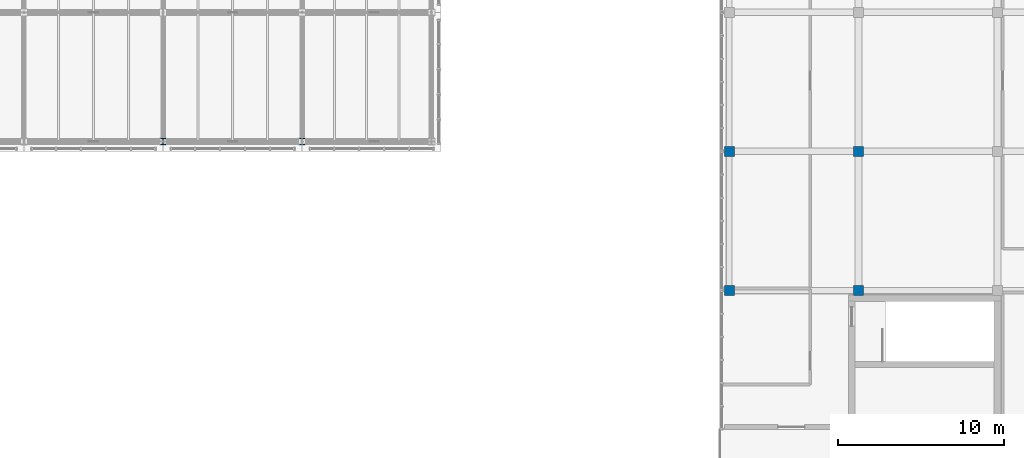
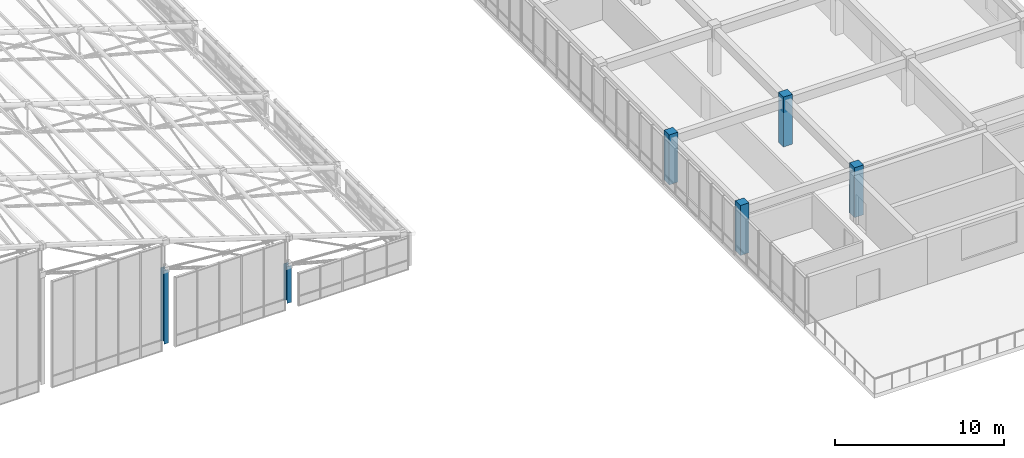
# One storey, part 5 of 144: 6 columns.
"""IFC4 building model written with IfcOpenShell, lengths in metres."""

from ifc_helpers import new_model, si_unit, direction, frame, origin, origin_2d, place, context, subcontext, project, spatial, rectangle, i_section, extrude, material, material_profile, profile_set, type_object, element, save


model = new_model("IFC4")

# Units and contexts
model_context = context("Model", 3, precision=1e-05, world=origin(), true_north=direction((0.0, 1.0)))
body_context = subcontext(model_context, "Body", "Model", "MODEL_VIEW")
ifc_project = project(units=[si_unit("LENGTHUNIT", "METRE"), si_unit("AREAUNIT", "SQUARE_METRE"), si_unit("VOLUMEUNIT", "CUBIC_METRE"), si_unit("PLANEANGLEUNIT", "RADIAN"), si_unit("MASSUNIT", "GRAM", prefix="KILO")], contexts=[model_context])

# Site, building, storey
site_placement = place(None, origin())
site = spatial("IfcSite", under=ifc_project, at=site_placement, CompositionType="ELEMENT")
building_placement = place(site_placement, origin())
building = spatial("IfcBuilding", under=site, at=building_placement, Name="Zayran Congress Hotel", CompositionType="ELEMENT")
storey_placement = place(building_placement, frame((0.0, 0.0, 19.199951171875)))
storey = spatial("IfcBuildingStorey", under=building, at=storey_placement, Name="L04", CompositionType="ELEMENT", Elevation=19.199951171875)

# Columns
ifc_material_1 = material(Name="Concrete C40/50", Category="concrete")
ifc_material_profile_1 = material_profile(ifc_material_1, rectangle(XDim=0.60009765625, YDim=0.60009765625, at=origin_2d()), Name="RC 600x600")
ifc_profile_set_1 = profile_set([ifc_material_profile_1], Name="Concrete C40/50")
column_type_1 = type_object("IfcColumnType", Name="TP-CL-04", PredefinedType="COLUMN", material=ifc_profile_set_1)
for number, where, z_axis, x_axis, name in (
    (1, (109.800048828125, 59.199951171875, 0.0), (0.0, 0.0, 1.0), (1.0, 0.0, 0.0), "COL-V4-L04-0861"),
    (2, (109.800048828125, 67.60009765625, 0.0), (0.0, 0.0, 1.0), (1.0, 0.0, 0.0), "COL-V4-L04-0862"),
    (3, (117.60009765625, 59.199951171875, 0.0), (0.0, 0.0, 1.0), (1.0, 0.0, 0.0), "COL-V4-L04-0865"),
    (4, (117.60009765625, 67.60009765625, 0.0), (0.0, 0.0, 1.0), (1.0, 0.0, 0.0), "COL-V4-L04-0866"),
):
    element("IfcColumn", number, at=place(storey_placement, frame(where, z_axis=z_axis, x_axis=x_axis)), inside=storey, type_object=column_type_1, Name=name, PredefinedType="COLUMN", context=body_context, shape_type="SweptSolid", body=[
        extrude(rectangle(XDim=0.60009765625, YDim=0.60009765625, at=origin_2d()), origin(), (0.0, 0.0, 1.0), 3.60009765625),
    ])
ifc_material_2 = material(Name="Steel S355", Category="steel")
ifc_material_profile_2 = material_profile(ifc_material_2, i_section(OverallWidth=0.300048828125, OverallDepth=0.39990234375, WebThickness=0.013427734375, FlangeThickness=0.02392578125, at=origin_2d()), Name="HEB 400")
ifc_profile_set_2 = profile_set([ifc_material_profile_2], Name="Steel S355")
column_type_2 = type_object("IfcColumnType", Name="TP-CL-07", PredefinedType="COLUMN", material=ifc_profile_set_2)
column_1_placement = place(storey_placement, frame((75.60009765625, 68.199951171875, 0.0), z_axis=(0.0, 0.0, 1.0), x_axis=(1.0, 0.0, 0.0)))
element("IfcColumn", 5, at=column_1_placement, inside=storey, type_object=column_type_2, Name="COL-V1-GAB-1423", PredefinedType="COLUMN", context=body_context, shape_type="SweptSolid", body=[
    extrude(i_section(OverallWidth=0.300048828125, OverallDepth=0.39990234375, WebThickness=0.013427734375, FlangeThickness=0.02392578125, at=origin_2d()), origin(), (0.0, 0.0, 1.0), 5.300048828125),
])
column_2_placement = place(storey_placement, frame((84.0, 68.199951171875, 0.0), z_axis=(0.0, 0.0, 1.0), x_axis=(1.0, 0.0, 0.0)))
element("IfcColumn", 6, at=column_2_placement, inside=storey, type_object=column_type_2, Name="COL-V1-GAB-1425", PredefinedType="COLUMN", context=body_context, shape_type="SweptSolid", body=[
    extrude(i_section(OverallWidth=0.300048828125, OverallDepth=0.39990234375, WebThickness=0.013427734375, FlangeThickness=0.02392578125, at=origin_2d()), origin(), (0.0, 0.0, 1.0), 2.650146484375),
])

save(model, "model.ifc")
